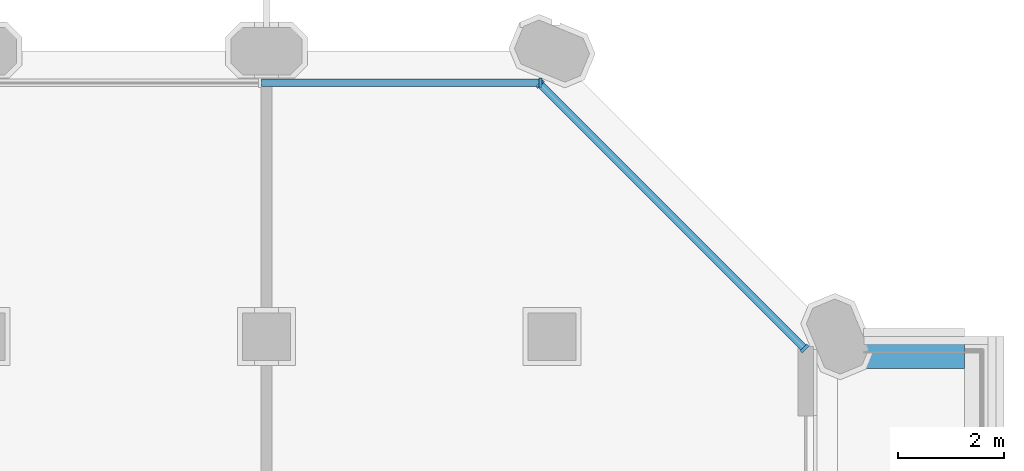
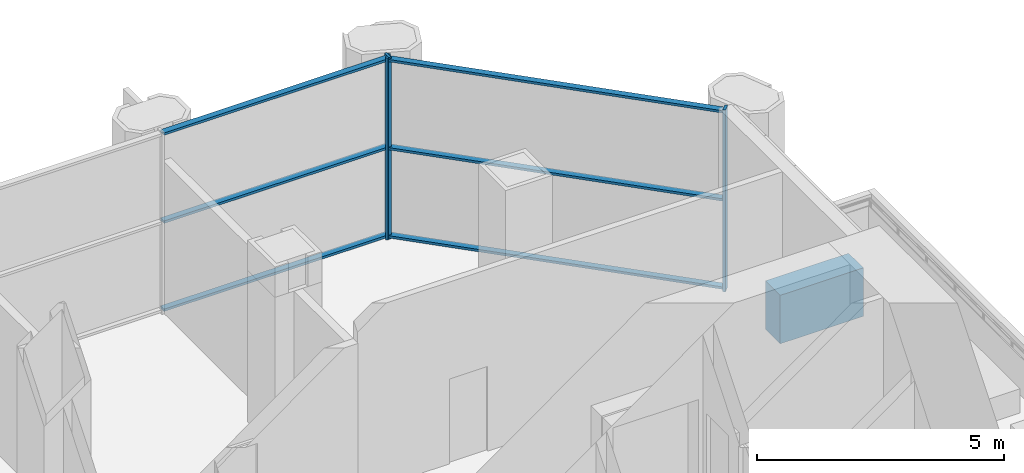
# One storey, part 8 of 15: 9 members, 1 beam, 2 elements without a shape of their own.
"""IFC4 building model written with IfcOpenShell, lengths in metres."""

from ifc_helpers import new_model, si_unit, direction, frame, origin, origin_2d, place, context, subcontext, project, spatial, rectangle, extrude, material, material_profile, profile_set, type_object, element, aggregate, save


model = new_model("IFC4")

# Units and contexts
model_context = context("Model", 3, precision=1e-05, world=origin(), true_north=direction((0.0, 1.0)))
body_context = subcontext(model_context, "Body", "Model", "MODEL_VIEW")
ifc_project = project(units=[si_unit("LENGTHUNIT", "METRE"), si_unit("AREAUNIT", "SQUARE_METRE"), si_unit("VOLUMEUNIT", "CUBIC_METRE"), si_unit("PLANEANGLEUNIT", "RADIAN"), si_unit("MASSUNIT", "GRAM", prefix="KILO")], contexts=[model_context])

# Site, building, storey
site_placement = place(None, origin())
site = spatial("IfcSite", under=ifc_project, at=site_placement, CompositionType="ELEMENT")
building_placement = place(site_placement, origin())
building = spatial("IfcBuilding", under=site, at=building_placement, Name="Tabaq Tower and Sports Hall", CompositionType="ELEMENT")
storey_placement = place(building_placement, frame((0.0, 0.0, 143.199951171875)))
storey = spatial("IfcBuildingStorey", under=building, at=storey_placement, Name="L33", CompositionType="ELEMENT", Elevation=143.199951171875)

# Curtain wall, members
ifc_material_1 = material(Name="Aluminium alloy 6063-T6 framed glazing", Category="aluminium")
curtain_wall_type = type_object("IfcCurtainWallType", Name="CW3 curtain wall", PredefinedType="USERDEFINED", material=ifc_material_1)
curtain_wall_1_placement = place(storey_placement, origin())
curtain_wall_1 = element("IfcCurtainWall", 1, at=curtain_wall_1_placement, inside=storey, type_object=curtain_wall_type, Name="Garden Floor Wall L33 NE", ObjectType="GARDEN FLOOR WALL", PredefinedType="USERDEFINED")
ifc_material_2 = material(Name="Aluminium alloy 6063-T6", Category="aluminium")
ifc_material_profile_1 = material_profile(ifc_material_2, rectangle(XDim=0.179931640625, YDim=0.06005859375, at=origin_2d()), Name="MULLION 180x60")
ifc_profile_set_1 = profile_set([ifc_material_profile_1], Name="Aluminium alloy 6063-T6")
member_type_1 = type_object("IfcMemberType", Name="CW3 mullion 180x60", PredefinedType="MULLION", material=ifc_profile_set_1)
member_1_placement = place(storey_placement, frame((42.578857421875, 37.57275390625, 0.0), z_axis=(0.0, 0.0, 1.0), x_axis=(-0.707106781187, -0.707106781187, 0.0)))
member_1 = element("IfcMember", 2, at=member_1_placement, type_object=member_type_1, Name="CW3 mullion 1", PredefinedType="MULLION", context=body_context, shape_type="SweptSolid", body=[
    extrude(rectangle(XDim=0.179931640625, YDim=0.06005859375, at=origin_2d()), origin(), (0.0, 0.0, 1.0), 4.5),
])
member_2_placement = place(storey_placement, frame((37.57275390625, 42.578857421875, 0.0), z_axis=(0.0, 0.0, 1.0), x_axis=(-0.707106781187, -0.707106781187, 0.0)))
member_2 = element("IfcMember", 3, at=member_2_placement, type_object=member_type_1, Name="CW3 mullion 2", PredefinedType="MULLION", context=body_context, shape_type="SweptSolid", body=[
    extrude(rectangle(XDim=0.179931640625, YDim=0.06005859375, at=origin_2d()), origin(), (0.0, 0.0, 1.0), 4.5),
])

# Curtain wall, member
curtain_wall_2_placement = place(storey_placement, origin())
curtain_wall_2 = element("IfcCurtainWall", 4, at=curtain_wall_2_placement, inside=storey, type_object=curtain_wall_type, Name="Garden Floor Wall L33 N", ObjectType="GARDEN FLOOR WALL", PredefinedType="USERDEFINED")
member_3_placement = place(storey_placement, frame((37.58349609375, 42.60009765625, 0.0), z_axis=(0.0, 0.0, 1.0), x_axis=(0.0, -1.0, 0.0)))
member_3 = element("IfcMember", 5, at=member_3_placement, type_object=member_type_1, Name="CW3 mullion 1", PredefinedType="MULLION", context=body_context, shape_type="SweptSolid", body=[
    extrude(rectangle(XDim=0.179931640625, YDim=0.06005859375, at=origin_2d()), origin(), (0.0, 0.0, 1.0), 4.5),
])

# Member
ifc_material_3 = material(Name="Aluminium alloy 6063-T6", Category="aluminium")
ifc_material_profile_2 = material_profile(ifc_material_3, rectangle(XDim=0.139892578125, YDim=0.06005859375, at=origin_2d()), Name="TRANSOM 140x60")
ifc_profile_set_2 = profile_set([ifc_material_profile_2], Name="Aluminium alloy 6063-T6")
member_type_2 = type_object("IfcMemberType", Name="CW3 transom 140x60", PredefinedType="USERDEFINED", material=ifc_profile_set_2)
member_4_placement = place(storey_placement, frame((42.5576171875, 37.593994140625, 0.070068359375), z_axis=(-0.707106781187, 0.707106781187, 0.0), x_axis=(-0.707106781187, -0.707106781187, 0.0)))
member_4 = element("IfcMember", 6, at=member_4_placement, type_object=member_type_2, Name="CW3 transom 1.1", ObjectType="TRANSOM", PredefinedType="USERDEFINED", context=body_context, shape_type="SweptSolid", body=[
    extrude(rectangle(XDim=0.139892578125, YDim=0.06005859375, at=origin_2d()), origin(), (0.0, 0.0, 1.0), 7.01953125),
])

member_5_placement = place(storey_placement, frame((42.5576171875, 37.593994140625, 2.25), z_axis=(-0.707106781187, 0.707106781187, 0.0), x_axis=(-0.707106781187, -0.707106781187, 0.0)))
member_5 = element("IfcMember", 7, at=member_5_placement, type_object=member_type_2, Name="CW3 transom 1.2", ObjectType="TRANSOM", PredefinedType="USERDEFINED", context=body_context, shape_type="SweptSolid", body=[
    extrude(rectangle(XDim=0.139892578125, YDim=0.06005859375, at=origin_2d()), origin(), (0.0, 0.0, 1.0), 7.01953125),
])

member_6_placement = place(storey_placement, frame((42.5576171875, 37.593994140625, 4.429931640625), z_axis=(-0.707106781187, 0.707106781187, 0.0), x_axis=(-0.707106781187, -0.707106781187, 0.0)))
member_6 = element("IfcMember", 8, at=member_6_placement, type_object=member_type_2, Name="CW3 transom 1.3", ObjectType="TRANSOM", PredefinedType="USERDEFINED", context=body_context, shape_type="SweptSolid", body=[
    extrude(rectangle(XDim=0.139892578125, YDim=0.06005859375, at=origin_2d()), origin(), (0.0, 0.0, 1.0), 7.01953125),
])

aggregate(curtain_wall_1, [member_1, member_2, member_4, member_5, member_6])

member_7_placement = place(storey_placement, frame((37.5537109375, 42.60009765625, 0.070068359375), z_axis=(-1.0, 0.0, 0.0), x_axis=(0.0, -1.0, 0.0)))
member_7 = element("IfcMember", 9, at=member_7_placement, type_object=member_type_2, Name="CW3 transom 1.1", ObjectType="TRANSOM", PredefinedType="USERDEFINED", context=body_context, shape_type="SweptSolid", body=[
    extrude(rectangle(XDim=0.139892578125, YDim=0.06005859375, at=origin_2d()), origin(), (0.0, 0.0, 1.0), 5.248046875),
])

member_8_placement = place(storey_placement, frame((37.5537109375, 42.60009765625, 2.25), z_axis=(-1.0, 0.0, 0.0), x_axis=(0.0, -1.0, 0.0)))
member_8 = element("IfcMember", 10, at=member_8_placement, type_object=member_type_2, Name="CW3 transom 1.2", ObjectType="TRANSOM", PredefinedType="USERDEFINED", context=body_context, shape_type="SweptSolid", body=[
    extrude(rectangle(XDim=0.139892578125, YDim=0.06005859375, at=origin_2d()), origin(), (0.0, 0.0, 1.0), 5.248046875),
])

member_9_placement = place(storey_placement, frame((37.5537109375, 42.60009765625, 4.429931640625), z_axis=(-1.0, 0.0, 0.0), x_axis=(0.0, -1.0, 0.0)))
member_9 = element("IfcMember", 11, at=member_9_placement, type_object=member_type_2, Name="CW3 transom 1.3", ObjectType="TRANSOM", PredefinedType="USERDEFINED", context=body_context, shape_type="SweptSolid", body=[
    extrude(rectangle(XDim=0.139892578125, YDim=0.06005859375, at=origin_2d()), origin(), (0.0, 0.0, 1.0), 5.248046875),
])

aggregate(curtain_wall_2, [member_3, member_7, member_8, member_9])

# Beam
ifc_material_4 = material(Name="Concrete C40/50", Category="concrete")
ifc_material_profile_3 = material_profile(ifc_material_4, rectangle(XDim=0.60009765625, YDim=1.199951171875, at=origin_2d()), Name="EBT 600x1200")
ifc_profile_set_3 = profile_set([ifc_material_profile_3], Name="Concrete C40/50")
beam_type = type_object("IfcBeamType", Name="Concrete C40/50 PT edge band EBT 600x1200", PredefinedType="BEAM", material=ifc_profile_set_3)
beam_placement = place(storey_placement, frame((43.64990234375, 37.5, -0.89990234375), z_axis=(1.0, 0.0, 0.0), x_axis=(0.0, 1.0, 0.0)))
element("IfcBeam", 12, at=beam_placement, inside=storey, type_object=beam_type, Name="Tray edge band L33", PredefinedType="BEAM", context=body_context, shape_type="SweptSolid", body=[
    extrude(rectangle(XDim=0.60009765625, YDim=1.199951171875, at=origin_2d()), origin(), (0.0, 0.0, 1.0), 1.9501953125),
])

save(model, "model.ifc")
